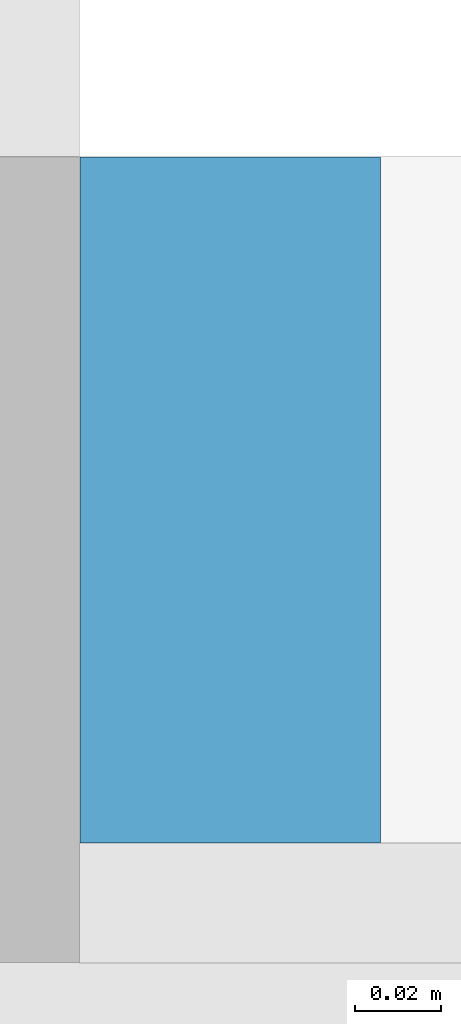
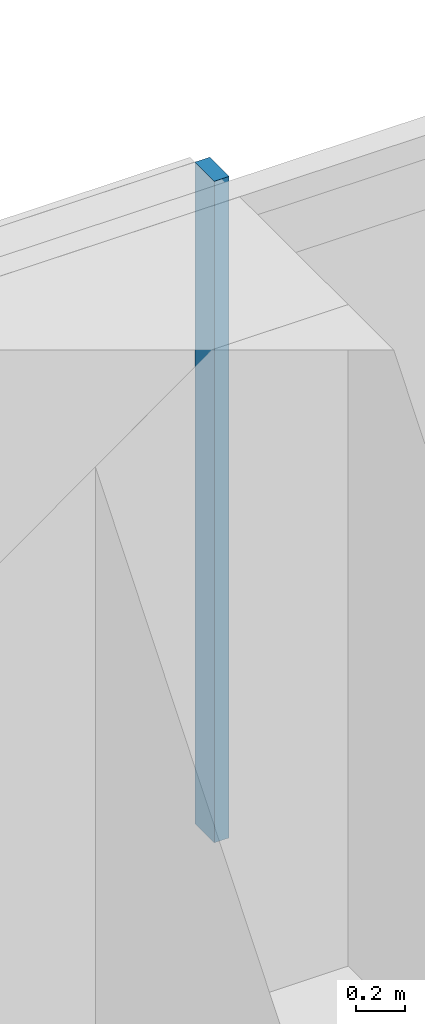
# One storey, part 10 of 28: 1 member, 1 element without a shape of its own.
"""IFC4 building model written with IfcOpenShell, lengths in metres."""

from ifc_helpers import new_model, si_unit, direction, frame, origin, origin_2d, place, context, subcontext, project, spatial, rectangle, extrude, material, material_profile, profile_set, type_object, element, aggregate, save


model = new_model("IFC4")

# Units and contexts
model_context = context("Model", 3, precision=1e-05, world=origin(), true_north=direction((0.0, 1.0)))
body_context = subcontext(model_context, "Body", "Model", "MODEL_VIEW")
ifc_project = project(units=[si_unit("LENGTHUNIT", "METRE"), si_unit("AREAUNIT", "SQUARE_METRE"), si_unit("VOLUMEUNIT", "CUBIC_METRE"), si_unit("PLANEANGLEUNIT", "RADIAN"), si_unit("MASSUNIT", "GRAM", prefix="KILO")], contexts=[model_context])

# Site, building, storey
site_placement = place(None, origin())
site = spatial("IfcSite", under=ifc_project, at=site_placement, CompositionType="ELEMENT")
building_placement = place(site_placement, origin())
building = spatial("IfcBuilding", under=site, at=building_placement, Name="Saffron Gate Tower", CompositionType="ELEMENT")
storey_placement = place(building_placement, frame((0.0, 0.0, 51.60009765625)))
storey = spatial("IfcBuildingStorey", under=building, at=storey_placement, Name="L11", CompositionType="ELEMENT", Elevation=51.60009765625)

# Curtain wall, member
ifc_material = material(Name="Aluminium, bronze anodised", Category="aluminium")
curtain_wall_type = type_object("IfcCurtainWallType", Name="CWS3 curtain wall rear facade", PredefinedType="NOTDEFINED", material=ifc_material)
curtain_wall_placement = place(storey_placement, origin())
curtain_wall = element("IfcCurtainWall", 1, at=curtain_wall_placement, inside=storey, type_object=curtain_wall_type, Name="CWS3 run 7", PredefinedType="NOTDEFINED")
ifc_material_profile = material_profile(ifc_material, rectangle(XDim=0.159912109375, YDim=0.070068359375, at=origin_2d()))
ifc_profile_set = profile_set([ifc_material_profile], Name="Aluminium, bronze anodised")
member_type = type_object("IfcMemberType", Name="CWS3 mullion 70x160", PredefinedType="MULLION", material=ifc_profile_set)
member_placement = place(storey_placement, frame((108.60009765625, 75.52001953125, 0.0), z_axis=(0.0, 0.0, 1.0), x_axis=(0.0, -1.0, 0.0)))
member = element("IfcMember", 2, at=member_placement, type_object=member_type, Name="CWS3 mullion 3", PredefinedType="MULLION", context=body_context, shape_type="SweptSolid", body=[
    extrude(rectangle(XDim=0.159912109375, YDim=0.070068359375, at=origin_2d()), origin(), (0.0, 0.0, 1.0), 3.31982421875),
])
aggregate(curtain_wall, [member])

save(model, "model.ifc")
